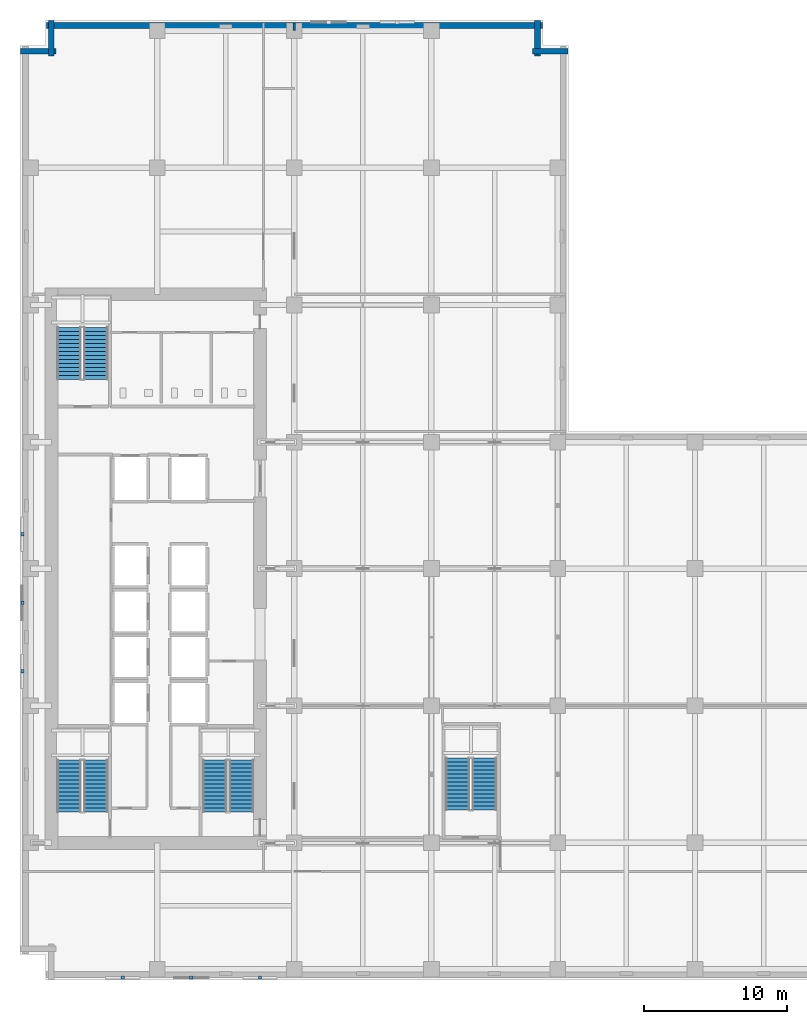
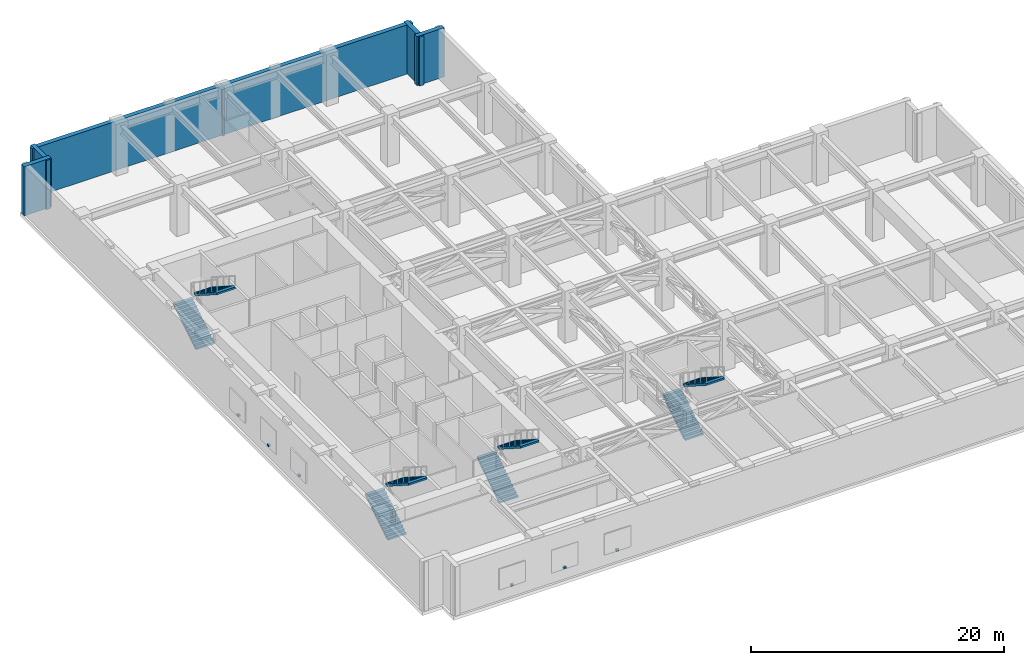
# One storey, part 17 of 22: 8 stair flights, 6 discrete accessories, 6 walls, 4 elements without a shape of their own.
"""IFC4 building model written with IfcOpenShell, lengths in metres."""

import ifcopenshell
import ifcopenshell.guid

model = None  # the IFC model being written
_history = None  # IfcOwnerHistory: only IFC2X3 demands one
_inside = {}  # id of a spatial element -> (the spatial element, [elements in it])
_under = {}  # id of a project, library or spatial element -> (it, [spatial elements below it])
_declared = {}  # id of a project -> (the project, [libraries it declares])
_typed = {}  # id of a type object -> (the type object, [elements of that type])
_made_of = {}  # id of a material, layer set ... -> (it, [elements and type objects made of it])


def new_model(schema):
    """Start an empty IFC model of exactly this schema.

    Asked for "IFC4X3", IfcOpenShell would pick the latest addendum, in which some entities
    have other attributes; the version numbers below select the first issue.
    IFC2X3 requires an IfcOwnerHistory on every rooted entity: one is made here for all.
    """
    global model, _history
    if schema == "IFC4X3":
        model = ifcopenshell.file(schema_version=(4, 3, 0, 0))
    else:
        model = ifcopenshell.file(schema=schema)
    _inside.clear()
    _under.clear()
    _declared.clear()
    _typed.clear()
    _made_of.clear()
    _history = None
    if model.schema == "IFC2X3":
        org = make("IfcOrganization", Name="unknown")
        user = make(
            "IfcPersonAndOrganization",
            ThePerson=make("IfcPerson", FamilyName="unknown"),
            TheOrganization=org,
        )
        app = make(
            "IfcApplication",
            ApplicationDeveloper=org,
            Version="unknown",
            ApplicationFullName="unknown",
            ApplicationIdentifier="unknown",
        )
        _history = make(
            "IfcOwnerHistory",
            OwningUser=user,
            OwningApplication=app,
            ChangeAction="ADDED",
            CreationDate=0,
        )
    return model


def make(cls, **values):
    """One entity of the class cls with the attributes given. An attribute that is None is left unset."""
    return model.create_entity(
        cls, **{name: value for name, value in values.items() if value is not None}
    )


def rooted(cls, **values):
    """An entity with a GlobalId (a new one), such as an element, a storey or a relation."""
    return make(cls, GlobalId=ifcopenshell.guid.new(), OwnerHistory=_history, **values)


def si_unit(unit_type, name, prefix=None):
    """IfcSIUnit, for example si_unit("LENGTHUNIT", "METRE", prefix="MILLI")."""
    return make("IfcSIUnit", UnitType=unit_type, Prefix=prefix, Name=name)


def assignment(units):
    """IfcUnitAssignment: the units of a project."""
    return None if units is None else make("IfcUnitAssignment", Units=units)


def point(xyz):
    """IfcCartesianPoint."""
    return None if xyz is None else make("IfcCartesianPoint", Coordinates=xyz)


def direction(xyz):
    """IfcDirection."""
    return None if xyz is None else make("IfcDirection", DirectionRatios=xyz)


def frame(location, z_axis=None, x_axis=None):
    """IfcAxis2Placement3D, a coordinate frame: its origin and axes. An axis left out is left unset."""
    return make(
        "IfcAxis2Placement3D",
        Location=point(location),
        Axis=direction(z_axis),
        RefDirection=direction(x_axis),
    )


def frame_2d(location, x_axis=None):
    """IfcAxis2Placement2D, a coordinate frame in the plane: its origin and x axis."""
    return make(
        "IfcAxis2Placement2D", Location=point(location), RefDirection=direction(x_axis)
    )


def origin():
    """The frame at (0, 0, 0) with its axes left unset."""
    return frame((0.0, 0.0, 0.0))


def origin_2d():
    """The frame at (0, 0) in the plane with its x axis left unset."""
    return frame_2d((0.0, 0.0))


def place(relative_to, where):
    """IfcLocalPlacement: puts the frame where relative to a parent placement (None: the world)."""
    return make(
        "IfcLocalPlacement", PlacementRelTo=relative_to, RelativePlacement=where
    )


def context(
    kind, dimensions, precision=None, world=None, true_north=None, identifier=None
):
    """IfcGeometricRepresentationContext, for example the 3D "Model" context."""
    return make(
        "IfcGeometricRepresentationContext",
        ContextIdentifier=identifier,
        ContextType=kind,
        CoordinateSpaceDimension=dimensions,
        Precision=precision,
        WorldCoordinateSystem=world,
        TrueNorth=true_north,
    )


def subcontext(parent, identifier, kind, view, scale=None):
    """IfcGeometricRepresentationSubContext, for example "Body" below "Model"."""
    return make(
        "IfcGeometricRepresentationSubContext",
        ContextIdentifier=identifier,
        ContextType=kind,
        ParentContext=parent,
        TargetScale=scale,
        TargetView=view,
    )


def project(units=None, contexts=None):
    """IfcProject with its units and contexts."""
    return rooted(
        "IfcProject",
        Name="project",
        RepresentationContexts=contexts,
        UnitsInContext=assignment(units),
    )


def spatial(cls, under=None, at=None, **own):
    """A site, building, storey or space (cls), placed at a placement, below another one or the project."""
    s = rooted(cls, ObjectPlacement=at, **own)
    if under is not None:
        _under.setdefault(under.id(), (under, []))[1].append(s)
    return s


def polyline(points):
    """IfcPolyline through the points."""
    return make("IfcPolyline", Points=[point(p) for p in points])


def profile(cls, at=None, kind="AREA", **sizes):
    """A parametric profile (cls). Its sizes go by their IFC names, for example OverallWidth=200.0."""
    return make(cls, ProfileType=kind, Position=at, **sizes)


def rectangle(**sizes):
    """IfcRectangleProfileDef."""
    return profile("IfcRectangleProfileDef", **sizes)


def outline(outer, holes=None, kind="AREA"):
    """IfcArbitraryClosedProfileDef: a profile drawn as a closed curve; with holes, ...WithVoids."""
    if holes is None:
        return make("IfcArbitraryClosedProfileDef", ProfileType=kind, OuterCurve=outer)
    return make(
        "IfcArbitraryProfileDefWithVoids",
        ProfileType=kind,
        OuterCurve=outer,
        InnerCurves=holes,
    )


def extrude(swept, where, along, depth):
    """IfcExtrudedAreaSolid: the profile swept, set in the frame where, extruded along a direction by depth."""
    return make(
        "IfcExtrudedAreaSolid",
        SweptArea=swept,
        Position=where,
        ExtrudedDirection=direction(along),
        Depth=depth,
    )


def shape(context_of_items, identifier, shape_type, items):
    """IfcShapeRepresentation: the items that make up one representation, for example the "Body"."""
    return make(
        "IfcShapeRepresentation",
        ContextOfItems=context_of_items,
        RepresentationIdentifier=identifier,
        RepresentationType=shape_type,
        Items=items,
    )


def material(Name=None, Category=None):
    """IfcMaterial."""
    return make("IfcMaterial", Name=Name, Category=Category)


def layer(
    of_material, thickness, ventilated=None, Name=None, Category=None, Priority=None
):
    """IfcMaterialLayer: one layer of a wall or slab, of a material (None: an air gap)."""
    return make(
        "IfcMaterialLayer",
        Material=of_material,
        LayerThickness=thickness,
        IsVentilated=ventilated,
        Name=Name,
        Category=Category,
        Priority=Priority,
    )


def layer_set(layers, Name=None):
    """IfcMaterialLayerSet."""
    return make("IfcMaterialLayerSet", MaterialLayers=layers, LayerSetName=Name)


def made_of(thing, what):
    """Note that an element or type object is made of a material, layer set ...; save() writes the relation."""
    if what is not None:
        _made_of.setdefault(what.id(), (what, []))[1].append(thing)
    return thing


def type_object(cls, material=None, **own):
    """A type object (cls), such as IfcWallType, which elements share."""
    return made_of(rooted(cls, **own), material)


def element(
    cls,
    number,
    at=None,
    inside=None,
    cuts=None,
    type_object=None,
    material=None,
    context=None,
    identifier="Body",
    shape_type=None,
    held_by="IfcProductDefinitionShape",
    body=None,
    shapes=None,
    **own,
):
    """One element of the class cls, such as IfcWall. Its Tag is "e" and its number.

    at: its placement. inside: the storey or other place that contains it. cuts: it is an
    opening in that element (IfcRelVoidsElement). A single representation is given by context,
    identifier, shape_type and body (its items); several are given by shapes. held_by: the class
    of the entity that holds the representations. save() writes the other relations.
    """
    e = rooted(cls, Tag="e%d" % number, ObjectPlacement=at, **own)
    if body is not None:
        shapes = [shape(context, identifier, shape_type, body)]
    if shapes is not None:
        e.Representation = make(held_by, Representations=shapes)
    if inside is not None:
        _inside.setdefault(inside.id(), (inside, []))[1].append(e)
    if cuts is not None:
        rooted(
            "IfcRelVoidsElement", RelatingBuildingElement=cuts, RelatedOpeningElement=e
        )
    if type_object is not None:
        _typed.setdefault(type_object.id(), (type_object, []))[1].append(e)
    return made_of(e, material)


def aggregate(whole, parts):
    """IfcRelAggregates: a whole, such as a stair, and the parts it consists of."""
    return rooted("IfcRelAggregates", RelatingObject=whole, RelatedObjects=parts)


def save(model, path):
    """Write the relations noted so far, then the file.

    IfcRelAggregates (storeys below a building ...), IfcRelContainedInSpatialStructure (elements
    in a storey), IfcRelDefinesByType, IfcRelAssociatesMaterial and IfcRelDeclares: one each for
    every whole, place, type object, material and project.
    """
    for whole, parts in _under.values():
        aggregate(whole, parts)
    for where, things in _inside.values():
        rooted(
            "IfcRelContainedInSpatialStructure",
            RelatedElements=things,
            RelatingStructure=where,
        )
    for kind, things in _typed.values():
        rooted("IfcRelDefinesByType", RelatedObjects=things, RelatingType=kind)
    for what, things in _made_of.values():
        rooted("IfcRelAssociatesMaterial", RelatedObjects=things, RelatingMaterial=what)
    for by, libraries in _declared.values():
        rooted("IfcRelDeclares", RelatingContext=by, RelatedDefinitions=libraries)
    model.write(path)


model = new_model("IFC4")

# Units and contexts
model_context = context("Model", 3, precision=1e-05, world=origin(), true_north=direction((0.0, 1.0)))
body_context = subcontext(model_context, "Body", "Model", "MODEL_VIEW")
ifc_project = project(units=[si_unit("LENGTHUNIT", "METRE"), si_unit("AREAUNIT", "SQUARE_METRE"), si_unit("VOLUMEUNIT", "CUBIC_METRE"), si_unit("PLANEANGLEUNIT", "RADIAN"), si_unit("MASSUNIT", "GRAM", prefix="KILO")], contexts=[model_context])

# Site, building, storey
site_placement = place(None, origin())
site = spatial("IfcSite", under=ifc_project, at=site_placement, CompositionType="ELEMENT")
building_placement = place(site_placement, origin())
building = spatial("IfcBuilding", under=site, at=building_placement, Name="Norrvale University Quadrangle", CompositionType="ELEMENT")
storey_placement = place(building_placement, frame((0.0, 0.0, 96.39990234375)))
storey = spatial("IfcBuildingStorey", under=building, at=storey_placement, Name="L24", CompositionType="ELEMENT", Elevation=96.39990234375)

# Walls
ifc_material_1 = material(Name="Fire-Rated Gypsum Stud Partition")
ifc_layer_1 = layer(ifc_material_1, 0.14990234375, Name="Fire-Rated Gypsum Stud Partition")
ifc_layer_set_1 = layer_set([ifc_layer_1], Name="Fire-Rated Gypsum Stud Partition")
wall_type_1 = type_object("IfcWallType", Name="Wall Gypsum Corridor 150", PredefinedType="PARTITIONING", material=ifc_layer_set_1)
wall_1_placement = place(storey_placement, frame((19.199951171875, 66.449951171875, 0.0), z_axis=(0.0, 0.0, 1.0), x_axis=(0.0, 1.0, 0.0)))
element("IfcWall", 1, at=wall_1_placement, inside=storey, type_object=wall_type_1, Name="Interior Partition WL-L24-PE-W-B2", PredefinedType="PARTITIONING", context=body_context, shape_type="SweptSolid", body=[
    extrude(rectangle(XDim=0.530029296875, YDim=0.14990234375, at=frame_2d((0.26513671875, 0.0))), origin(), (0.0, 0.0, 1.0), 4.739990234375),
])
ifc_material_2 = material(Name="Red Manganese Brick Masonry", Category="masonry")
ifc_layer_2 = layer(ifc_material_2, 0.39990234375, Name="Red Manganese Brick Masonry")
ifc_layer_set_2 = layer_set([ifc_layer_2], Name="Red Manganese Brick Masonry")
wall_type_2 = type_object("IfcWallType", Name="Wall Red Brick 400", PredefinedType="SOLIDWALL", material=ifc_layer_set_2)
wall_2_placement = place(storey_placement, frame((38.360107421875, 65.02001953125, 0.0), z_axis=(0.0, 0.0, 1.0), x_axis=(-1.0, 0.0, 0.0)))
element("IfcWall", 2, at=wall_2_placement, inside=storey, type_object=wall_type_2, Name="Exterior Brick Facade Wall L24-09.1", PredefinedType="SOLIDWALL", context=body_context, shape_type="SweptSolid", body=[
    extrude(rectangle(XDim=2.480224609375, YDim=0.39990234375, at=frame_2d((1.240234375, 0.0))), origin(), (0.0, 0.0, 1.0), 4.739990234375),
])
wall_3_placement = place(storey_placement, frame((36.219970703125, 64.679931640625, 0.0), z_axis=(0.0, 0.0, 1.0), x_axis=(0.0, 1.0, 0.0)))
element("IfcWall", 3, at=wall_3_placement, inside=storey, type_object=wall_type_2, Name="Exterior Brick Facade Wall L24-10.1", PredefinedType="SOLIDWALL", context=body_context, shape_type="SweptSolid", body=[
    extrude(rectangle(XDim=2.47998046875, YDim=0.39990234375, at=frame_2d((1.239990234375, 0.0))), origin(), (0.0, 0.0, 1.0), 4.739990234375),
])
wall_4_placement = place(storey_placement, frame((36.56005859375, 66.820068359375, 0.0), z_axis=(0.0, 0.0, 1.0), x_axis=(-1.0, 0.0, 0.0)))
element("IfcWall", 4, at=wall_4_placement, inside=storey, type_object=wall_type_2, Name="Exterior Brick Facade Wall L24-11.1", PredefinedType="SOLIDWALL", context=body_context, shape_type="SweptSolid", body=[
    extrude(rectangle(XDim=34.719970703125, YDim=0.39990234375, at=frame_2d((17.35986328125, 0.0))), origin(), (0.0, 0.0, 1.0), 4.739990234375),
])
for number, where, z_axis, x_axis, name in (
    (5, (2.179931640625, 67.159912109375, 0.0), (0.0, 0.0, 1.0), (0.0, -1.0, 0.0), "Exterior Brick Facade Wall L24-12.1"),
    (6, (2.52001953125, 65.02001953125, 0.0), (0.0, 0.0, 1.0), (-1.0, 0.0, 0.0), "Exterior Brick Facade Wall L24-13.1"),
):
    element("IfcWall", number, at=place(storey_placement, frame(where, z_axis=z_axis, x_axis=x_axis)), inside=storey, type_object=wall_type_2, Name=name, PredefinedType="SOLIDWALL", context=body_context, shape_type="SweptSolid", body=[
        extrude(rectangle(XDim=2.47998046875, YDim=0.39990234375, at=frame_2d((1.239990234375, 0.0))), origin(), (0.0, 0.0, 1.0), 4.739990234375),
    ])

# Stair, stair flights
ifc_material_3 = material(Name="Concrete C40/50", Category="concrete")
stair_type = type_object("IfcStairType", Name="Stair Tower Plant 5000", PredefinedType="TWO_STRAIGHT_RUN_STAIR", material=ifc_material_3)
stair_1_placement = place(storey_placement, origin())
stair_1 = element("IfcStair", 7, at=stair_1_placement, inside=storey, type_object=stair_type, Name="Exit Stair ST-01 L24", PredefinedType="TWO_STRAIGHT_RUN_STAIR")
stair_flight_type = type_object("IfcStairFlightType", Name="Flight Typ 1500", PredefinedType="STRAIGHT", material=ifc_material_3)
stair_flight_1_placement = place(storey_placement, frame((3.429931640625, 11.75, 0.0), z_axis=(0.0, 0.0, 1.0), x_axis=(0.0, 1.0, 0.0)))
stair_flight_1 = element("IfcStairFlight", 8, at=stair_flight_1_placement, type_object=stair_flight_type, Name="Exit Stair ST-01 L24 Lower Flight", NumberOfRisers=14, NumberOfTreads=13, PredefinedType="STRAIGHT", RiserHeight=0.178571, TreadLength=0.28, context=body_context, shape_type="SweptSolid", body=[
    extrude(outline(polyline([(0.0, 0.0), (0.0, 0.178466796875), (0.280029296875, 0.178466796875), (0.280029296875, 0.357177734375), (0.56005859375, 0.357177734375), (0.56005859375, 0.53564453125), (0.840087890625, 0.53564453125), (0.840087890625, 0.71435546875), (1.1201171875, 0.71435546875), (1.1201171875, 0.892822265625), (1.39990234375, 0.892822265625), (1.39990234375, 1.071533203125), (1.679931640625, 1.071533203125), (1.679931640625, 1.25), (1.9599609375, 1.25), (1.9599609375, 1.428466796875), (2.239990234375, 1.428466796875), (2.239990234375, 1.607177734375), (2.52001953125, 1.607177734375), (2.52001953125, 1.78564453125), (2.800048828125, 1.78564453125), (2.800048828125, 1.96435546875), (3.080078125, 1.96435546875), (3.080078125, 2.142822265625), (3.360107421875, 2.142822265625), (3.360107421875, 2.321533203125), (3.639892578125, 2.321533203125), (3.639892578125, 2.5), (3.639892578125, 2.1435546875), (0.27880859375, 0.0), (0.0, 0.0)])), frame((0.0, 0.83984375, 0.0), z_axis=(0.0, -1.0, 0.0), x_axis=(1.0, 0.0, 0.0)), (0.0, 0.0, 1.0), 1.679931640625),
])
stair_flight_2_placement = place(storey_placement, frame((5.320068359375, 15.389892578125, 2.5), z_axis=(0.0, 0.0, 1.0), x_axis=(0.0, -1.0, 0.0)))
stair_flight_2 = element("IfcStairFlight", 9, at=stair_flight_2_placement, type_object=stair_flight_type, Name="Exit Stair ST-01 L24 Upper Flight", NumberOfRisers=14, NumberOfTreads=13, PredefinedType="STRAIGHT", RiserHeight=0.178571, TreadLength=0.28, context=body_context, shape_type="SweptSolid", body=[
    extrude(outline(polyline([(0.0, 0.0), (0.0, 0.178466796875), (0.280029296875, 0.178466796875), (0.280029296875, 0.357177734375), (0.56005859375, 0.357177734375), (0.56005859375, 0.53564453125), (0.840087890625, 0.53564453125), (0.840087890625, 0.71435546875), (1.1201171875, 0.71435546875), (1.1201171875, 0.892822265625), (1.39990234375, 0.892822265625), (1.39990234375, 1.071533203125), (1.679931640625, 1.071533203125), (1.679931640625, 1.25), (1.9599609375, 1.25), (1.9599609375, 1.428466796875), (2.239990234375, 1.428466796875), (2.239990234375, 1.607177734375), (2.52001953125, 1.607177734375), (2.52001953125, 1.78564453125), (2.800048828125, 1.78564453125), (2.800048828125, 1.96435546875), (3.080078125, 1.96435546875), (3.080078125, 2.142822265625), (3.360107421875, 2.142822265625), (3.360107421875, 2.321533203125), (3.639892578125, 2.321533203125), (3.639892578125, 2.5), (3.639892578125, 2.1435546875), (0.27880859375, 0.0), (0.0, 0.0)])), frame((0.0, 0.83984375, 0.0), z_axis=(0.0, -1.0, 0.0), x_axis=(1.0, 0.0, 0.0)), (0.0, 0.0, 1.0), 1.679931640625),
])
aggregate(stair_1, [stair_flight_1, stair_flight_2])

stair_2_placement = place(storey_placement, origin())
stair_2 = element("IfcStair", 10, at=stair_2_placement, inside=storey, type_object=stair_type, Name="Exit Stair ST-02 L24", PredefinedType="TWO_STRAIGHT_RUN_STAIR")
stair_flight_3_placement = place(storey_placement, frame((3.429931640625, 42.050048828125, 0.0), z_axis=(0.0, 0.0, 1.0), x_axis=(0.0, 1.0, 0.0)))
stair_flight_3 = element("IfcStairFlight", 11, at=stair_flight_3_placement, type_object=stair_flight_type, Name="Exit Stair ST-02 L24 Lower Flight", NumberOfRisers=14, NumberOfTreads=13, PredefinedType="STRAIGHT", RiserHeight=0.178571, TreadLength=0.28, context=body_context, shape_type="SweptSolid", body=[
    extrude(outline(polyline([(0.0, 0.0), (0.0, 0.178466796875), (0.280029296875, 0.178466796875), (0.280029296875, 0.357177734375), (0.56005859375, 0.357177734375), (0.56005859375, 0.53564453125), (0.840087890625, 0.53564453125), (0.840087890625, 0.71435546875), (1.1201171875, 0.71435546875), (1.1201171875, 0.892822265625), (1.39990234375, 0.892822265625), (1.39990234375, 1.071533203125), (1.679931640625, 1.071533203125), (1.679931640625, 1.25), (1.9599609375, 1.25), (1.9599609375, 1.428466796875), (2.239990234375, 1.428466796875), (2.239990234375, 1.607177734375), (2.52001953125, 1.607177734375), (2.52001953125, 1.78564453125), (2.800048828125, 1.78564453125), (2.800048828125, 1.96435546875), (3.080078125, 1.96435546875), (3.080078125, 2.142822265625), (3.360107421875, 2.142822265625), (3.360107421875, 2.321533203125), (3.639892578125, 2.321533203125), (3.639892578125, 2.5), (3.639892578125, 2.1435546875), (0.27880859375, 0.0), (0.0, 0.0)])), frame((0.0, 0.83984375, 0.0), z_axis=(0.0, -1.0, 0.0), x_axis=(1.0, 0.0, 0.0)), (0.0, 0.0, 1.0), 1.679931640625),
])
stair_flight_4_placement = place(storey_placement, frame((5.320068359375, 45.68994140625, 2.5), z_axis=(0.0, 0.0, 1.0), x_axis=(0.0, -1.0, 0.0)))
stair_flight_4 = element("IfcStairFlight", 12, at=stair_flight_4_placement, type_object=stair_flight_type, Name="Exit Stair ST-02 L24 Upper Flight", NumberOfRisers=14, NumberOfTreads=13, PredefinedType="STRAIGHT", RiserHeight=0.178571, TreadLength=0.28, context=body_context, shape_type="SweptSolid", body=[
    extrude(outline(polyline([(0.0, 0.0), (0.0, 0.178466796875), (0.280029296875, 0.178466796875), (0.280029296875, 0.357177734375), (0.56005859375, 0.357177734375), (0.56005859375, 0.53564453125), (0.840087890625, 0.53564453125), (0.840087890625, 0.71435546875), (1.1201171875, 0.71435546875), (1.1201171875, 0.892822265625), (1.39990234375, 0.892822265625), (1.39990234375, 1.071533203125), (1.679931640625, 1.071533203125), (1.679931640625, 1.25), (1.9599609375, 1.25), (1.9599609375, 1.428466796875), (2.239990234375, 1.428466796875), (2.239990234375, 1.607177734375), (2.52001953125, 1.607177734375), (2.52001953125, 1.78564453125), (2.800048828125, 1.78564453125), (2.800048828125, 1.96435546875), (3.080078125, 1.96435546875), (3.080078125, 2.142822265625), (3.360107421875, 2.142822265625), (3.360107421875, 2.321533203125), (3.639892578125, 2.321533203125), (3.639892578125, 2.5), (3.639892578125, 2.1435546875), (0.27880859375, 0.0), (0.0, 0.0)])), frame((0.0, 0.83984375, 0.0), z_axis=(0.0, -1.0, 0.0), x_axis=(1.0, 0.0, 0.0)), (0.0, 0.0, 1.0), 1.679931640625),
])
aggregate(stair_2, [stair_flight_3, stair_flight_4])

stair_3_placement = place(storey_placement, origin())
stair_3 = element("IfcStair", 13, at=stair_3_placement, inside=storey, type_object=stair_type, Name="Exit Stair ST-03 L24", PredefinedType="TWO_STRAIGHT_RUN_STAIR")
stair_flight_5_placement = place(storey_placement, frame((13.6298828125, 11.75, 0.0), z_axis=(0.0, 0.0, 1.0), x_axis=(0.0, 1.0, 0.0)))
stair_flight_5 = element("IfcStairFlight", 14, at=stair_flight_5_placement, type_object=stair_flight_type, Name="Exit Stair ST-03 L24 Lower Flight", NumberOfRisers=14, NumberOfTreads=13, PredefinedType="STRAIGHT", RiserHeight=0.178571, TreadLength=0.28, context=body_context, shape_type="SweptSolid", body=[
    extrude(outline(polyline([(0.0, 0.0), (0.0, 0.178466796875), (0.280029296875, 0.178466796875), (0.280029296875, 0.357177734375), (0.56005859375, 0.357177734375), (0.56005859375, 0.53564453125), (0.840087890625, 0.53564453125), (0.840087890625, 0.71435546875), (1.1201171875, 0.71435546875), (1.1201171875, 0.892822265625), (1.39990234375, 0.892822265625), (1.39990234375, 1.071533203125), (1.679931640625, 1.071533203125), (1.679931640625, 1.25), (1.9599609375, 1.25), (1.9599609375, 1.428466796875), (2.239990234375, 1.428466796875), (2.239990234375, 1.607177734375), (2.52001953125, 1.607177734375), (2.52001953125, 1.78564453125), (2.800048828125, 1.78564453125), (2.800048828125, 1.96435546875), (3.080078125, 1.96435546875), (3.080078125, 2.142822265625), (3.360107421875, 2.142822265625), (3.360107421875, 2.321533203125), (3.639892578125, 2.321533203125), (3.639892578125, 2.5), (3.639892578125, 2.1435546875), (0.27880859375, 0.0), (0.0, 0.0)])), frame((0.0, 0.83984375, 0.0), z_axis=(0.0, -1.0, 0.0), x_axis=(1.0, 0.0, 0.0)), (0.0, 0.0, 1.0), 1.679931640625),
])
stair_flight_6_placement = place(storey_placement, frame((15.52001953125, 15.389892578125, 2.5), z_axis=(0.0, 0.0, 1.0), x_axis=(0.0, -1.0, 0.0)))
stair_flight_6 = element("IfcStairFlight", 15, at=stair_flight_6_placement, type_object=stair_flight_type, Name="Exit Stair ST-03 L24 Upper Flight", NumberOfRisers=14, NumberOfTreads=13, PredefinedType="STRAIGHT", RiserHeight=0.178571, TreadLength=0.28, context=body_context, shape_type="SweptSolid", body=[
    extrude(outline(polyline([(0.0, 0.0), (0.0, 0.178466796875), (0.280029296875, 0.178466796875), (0.280029296875, 0.357177734375), (0.56005859375, 0.357177734375), (0.56005859375, 0.53564453125), (0.840087890625, 0.53564453125), (0.840087890625, 0.71435546875), (1.1201171875, 0.71435546875), (1.1201171875, 0.892822265625), (1.39990234375, 0.892822265625), (1.39990234375, 1.071533203125), (1.679931640625, 1.071533203125), (1.679931640625, 1.25), (1.9599609375, 1.25), (1.9599609375, 1.428466796875), (2.239990234375, 1.428466796875), (2.239990234375, 1.607177734375), (2.52001953125, 1.607177734375), (2.52001953125, 1.78564453125), (2.800048828125, 1.78564453125), (2.800048828125, 1.96435546875), (3.080078125, 1.96435546875), (3.080078125, 2.142822265625), (3.360107421875, 2.142822265625), (3.360107421875, 2.321533203125), (3.639892578125, 2.321533203125), (3.639892578125, 2.5), (3.639892578125, 2.1435546875), (0.27880859375, 0.0), (0.0, 0.0)])), frame((0.0, 0.83984375, 0.0), z_axis=(0.0, -1.0, 0.0), x_axis=(1.0, 0.0, 0.0)), (0.0, 0.0, 1.0), 1.679931640625),
])
aggregate(stair_3, [stair_flight_5, stair_flight_6])

stair_4_placement = place(storey_placement, origin())
stair_4 = element("IfcStair", 16, at=stair_4_placement, inside=storey, type_object=stair_type, Name="Exit Stair ST-04 L24", PredefinedType="TWO_STRAIGHT_RUN_STAIR")
stair_flight_7_placement = place(storey_placement, frame((30.6298828125, 11.89990234375, 0.0), z_axis=(0.0, 0.0, 1.0), x_axis=(0.0, 1.0, 0.0)))
stair_flight_7 = element("IfcStairFlight", 17, at=stair_flight_7_placement, type_object=stair_flight_type, Name="Exit Stair ST-04 L24 Lower Flight", NumberOfRisers=14, NumberOfTreads=13, PredefinedType="STRAIGHT", RiserHeight=0.178571, TreadLength=0.28, context=body_context, shape_type="SweptSolid", body=[
    extrude(outline(polyline([(0.0, 0.0), (0.0, 0.178466796875), (0.280029296875, 0.178466796875), (0.280029296875, 0.357177734375), (0.56005859375, 0.357177734375), (0.56005859375, 0.53564453125), (0.840087890625, 0.53564453125), (0.840087890625, 0.71435546875), (1.1201171875, 0.71435546875), (1.1201171875, 0.892822265625), (1.39990234375, 0.892822265625), (1.39990234375, 1.071533203125), (1.679931640625, 1.071533203125), (1.679931640625, 1.25), (1.9599609375, 1.25), (1.9599609375, 1.428466796875), (2.239990234375, 1.428466796875), (2.239990234375, 1.607177734375), (2.52001953125, 1.607177734375), (2.52001953125, 1.78564453125), (2.800048828125, 1.78564453125), (2.800048828125, 1.96435546875), (3.080078125, 1.96435546875), (3.080078125, 2.142822265625), (3.360107421875, 2.142822265625), (3.360107421875, 2.321533203125), (3.639892578125, 2.321533203125), (3.639892578125, 2.5), (3.639892578125, 2.1435546875), (0.27880859375, 0.0), (0.0, 0.0)])), frame((0.0, 0.83984375, 0.0), z_axis=(0.0, -1.0, 0.0), x_axis=(1.0, 0.0, 0.0)), (0.0, 0.0, 1.0), 1.679931640625),
])
stair_flight_8_placement = place(storey_placement, frame((32.52001953125, 15.5400390625, 2.5), z_axis=(0.0, 0.0, 1.0), x_axis=(0.0, -1.0, 0.0)))
stair_flight_8 = element("IfcStairFlight", 18, at=stair_flight_8_placement, type_object=stair_flight_type, Name="Exit Stair ST-04 L24 Upper Flight", NumberOfRisers=14, NumberOfTreads=13, PredefinedType="STRAIGHT", RiserHeight=0.178571, TreadLength=0.28, context=body_context, shape_type="SweptSolid", body=[
    extrude(outline(polyline([(0.0, 0.0), (0.0, 0.178466796875), (0.280029296875, 0.178466796875), (0.280029296875, 0.357177734375), (0.56005859375, 0.357177734375), (0.56005859375, 0.53564453125), (0.840087890625, 0.53564453125), (0.840087890625, 0.71435546875), (1.1201171875, 0.71435546875), (1.1201171875, 0.892822265625), (1.39990234375, 0.892822265625), (1.39990234375, 1.071533203125), (1.679931640625, 1.071533203125), (1.679931640625, 1.25), (1.9599609375, 1.25), (1.9599609375, 1.428466796875), (2.239990234375, 1.428466796875), (2.239990234375, 1.607177734375), (2.52001953125, 1.607177734375), (2.52001953125, 1.78564453125), (2.800048828125, 1.78564453125), (2.800048828125, 1.96435546875), (3.080078125, 1.96435546875), (3.080078125, 2.142822265625), (3.360107421875, 2.142822265625), (3.360107421875, 2.321533203125), (3.639892578125, 2.321533203125), (3.639892578125, 2.5), (3.639892578125, 2.1435546875), (0.27880859375, 0.0), (0.0, 0.0)])), frame((0.0, 0.83984375, 0.0), z_axis=(0.0, -1.0, 0.0), x_axis=(1.0, 0.0, 0.0)), (0.0, 0.0, 1.0), 1.679931640625),
])
aggregate(stair_4, [stair_flight_7, stair_flight_8])

# Discrete accessories
ifc_material_4 = material(Name="Stainless Steel 316L", Category="steel")
discrete_accessory_type = type_object("IfcDiscreteAccessoryType", Name="Accessory Stainless Bracket", PredefinedType="BRACKET", material=ifc_material_4)
for number, where, z_axis, x_axis, name in (
    (19, (7.199951171875, 0.179931640625, 1.06005859375), (0.0, 0.0, 1.0), (1.0, 0.0, 0.0), "Stainless Facade Shelf Bracket 001"),
    (20, (12.0, 0.179931640625, 1.06005859375), (0.0, 0.0, 1.0), (1.0, 0.0, 0.0), "Stainless Facade Shelf Bracket 002"),
    (21, (16.800048828125, 0.179931640625, 1.06005859375), (0.0, 0.0, 1.0), (1.0, 0.0, 0.0), "Stainless Facade Shelf Bracket 003"),
    (22, (0.179931640625, 31.199951171875, 1.06005859375), (0.0, 0.0, 1.0), (0.0, -1.0, 0.0), "Stainless Facade Shelf Bracket 009"),
    (23, (0.179931640625, 26.39990234375, 1.06005859375), (0.0, 0.0, 1.0), (0.0, -1.0, 0.0), "Stainless Facade Shelf Bracket 010"),
    (24, (0.179931640625, 21.60009765625, 1.06005859375), (0.0, 0.0, 1.0), (0.0, -1.0, 0.0), "Stainless Facade Shelf Bracket 011"),
):
    element("IfcDiscreteAccessory", number, at=place(storey_placement, frame(where, z_axis=z_axis, x_axis=x_axis)), inside=storey, type_object=discrete_accessory_type, Name=name, PredefinedType="BRACKET", context=body_context, shape_type="SweptSolid", body=[
        extrude(rectangle(XDim=0.239990234375, YDim=0.199951171875, at=origin_2d()), origin(), (0.0, 0.0, 1.0), 0.179931640625),
    ])

save(model, "model.ifc")
